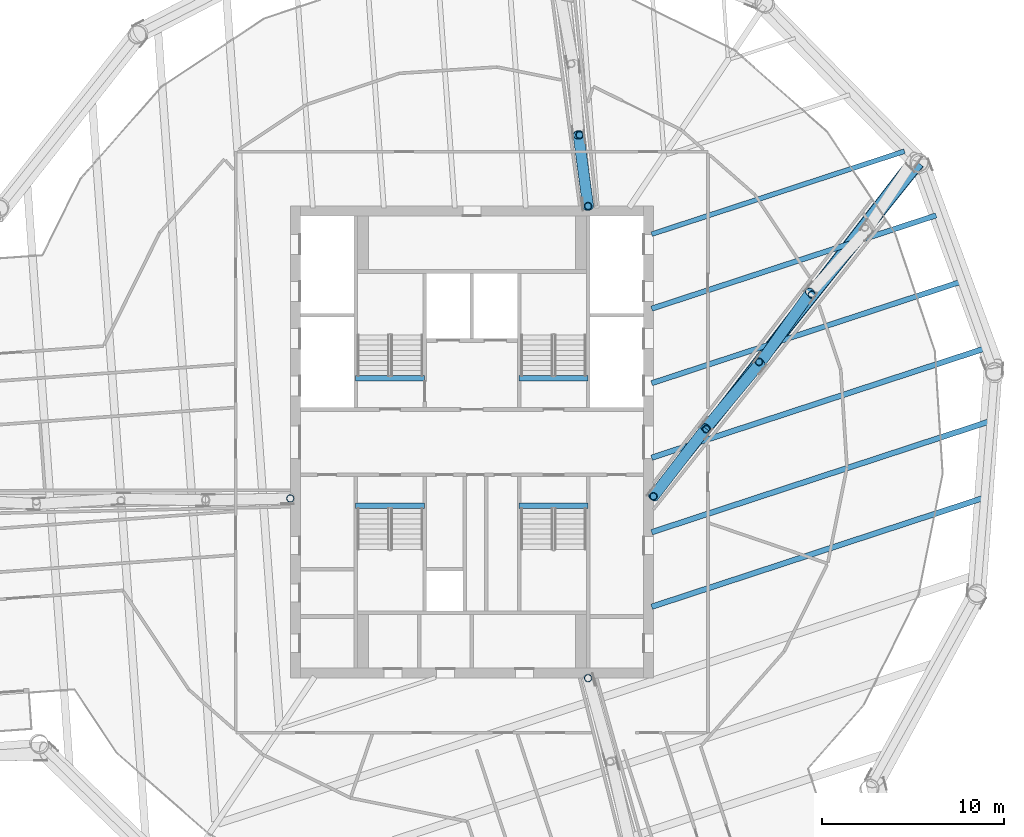
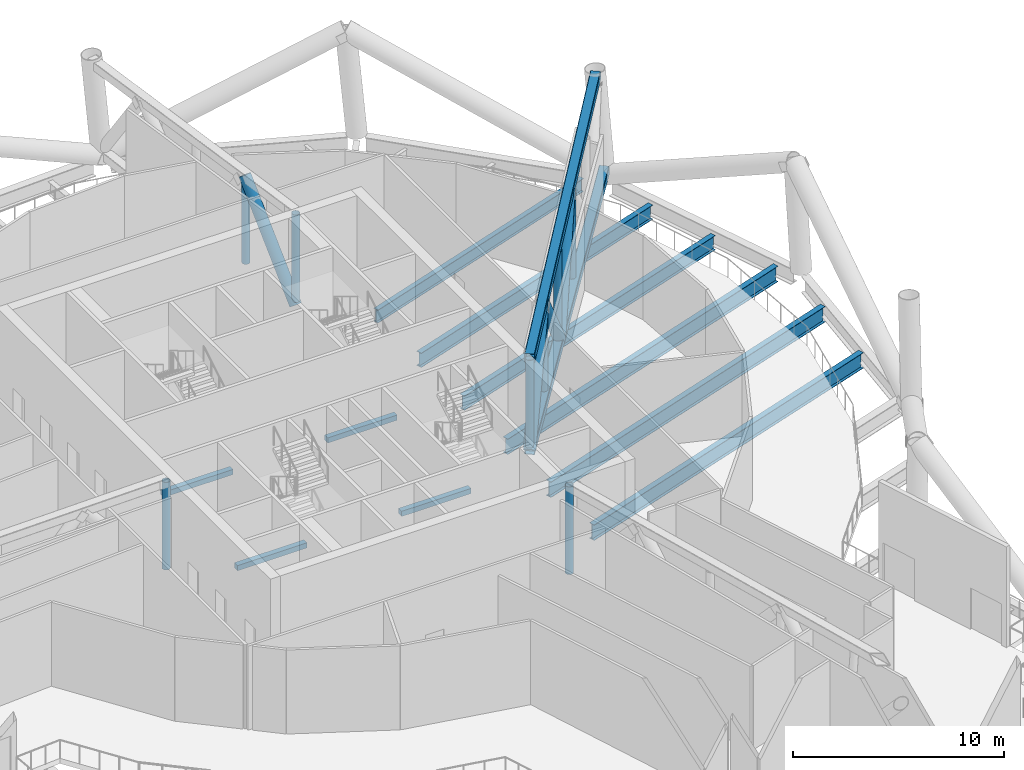
# One storey, part 6 of 33: 14 members, 10 beams.
"""IFC4 building model written with IfcOpenShell, lengths in metres."""

from ifc_helpers import new_model, si_unit, direction, frame, origin, origin_2d, place, context, subcontext, project, spatial, rectangle, hollow_rectangle, hollow_circle, i_section, extrude, material, material_profile, profile_set, type_object, element, save


model = new_model("IFC4")

# Units and contexts
model_context = context("Model", 3, precision=1e-05, world=origin(), true_north=direction((0.0, 1.0)))
body_context = subcontext(model_context, "Body", "Model", "MODEL_VIEW")
ifc_project = project(units=[si_unit("LENGTHUNIT", "METRE"), si_unit("AREAUNIT", "SQUARE_METRE"), si_unit("VOLUMEUNIT", "CUBIC_METRE"), si_unit("PLANEANGLEUNIT", "RADIAN"), si_unit("MASSUNIT", "GRAM", prefix="KILO")], contexts=[model_context])

# Site, building, storey
site_placement = place(None, origin())
site = spatial("IfcSite", under=ifc_project, at=site_placement, CompositionType="ELEMENT")
building_placement = place(site_placement, origin())
building = spatial("IfcBuilding", under=site, at=building_placement, Name="Tarsis Ring Headquarters", CompositionType="ELEMENT")
storey_placement = place(building_placement, frame((0.0, 0.0, 302.0)))
storey = spatial("IfcBuildingStorey", under=building, at=storey_placement, Name="L71", CompositionType="ELEMENT", Elevation=302.0)

# Beams
ifc_material_1 = material(Name="Structural steel S355", Category="steel")
ifc_material_profile_1 = material_profile(ifc_material_1, i_section(OverallWidth=0.2666015625, OverallDepth=0.7568359375, WebThickness=0.013916015625, FlangeThickness=0.019287109375, at=origin_2d()), Name="W30x108")
ifc_profile_set_1 = profile_set([ifc_material_profile_1], Name="Structural steel S355")
beam_type_1 = type_object("IfcBeamType", Name="FB Floor beam W30x108", PredefinedType="JOIST", material=ifc_profile_set_1)
beam_1_placement = place(storey_placement, frame((9.905029296875, 11.457763671875, -0.678466796875), z_axis=(0.950186918932, 0.311680636375, 0.0), x_axis=(-0.311680636375, 0.950186918932, 0.0)))
element("IfcBeam", 1, at=beam_1_placement, inside=storey, type_object=beam_type_1, Name="Floor beam FB6", PredefinedType="JOIST", context=body_context, shape_type="SweptSolid", body=[
    extrude(i_section(OverallWidth=0.2666015625, OverallDepth=0.7568359375, WebThickness=0.013916015625, FlangeThickness=0.019287109375, at=origin_2d()), origin(), (0.0, 0.0, 1.0), 14.6533203125),
])
ifc_material_profile_2 = material_profile(ifc_material_1, i_section(OverallWidth=0.2919921875, OverallDepth=0.835693359375, WebThickness=0.013916015625, FlangeThickness=0.018798828125, at=origin_2d()), Name="W33x118")
ifc_profile_set_2 = profile_set([ifc_material_profile_2], Name="Structural steel S355")
beam_type_2 = type_object("IfcBeamType", Name="FB Floor beam W33x118", PredefinedType="JOIST", material=ifc_profile_set_2)
beam_2_placement = place(storey_placement, frame((9.905029296875, 7.353271484375, -0.7177734375), z_axis=(0.950185696657, 0.311684362567, 0.0), x_axis=(-0.311684362567, 0.950185696657, 0.0)))
element("IfcBeam", 2, at=beam_2_placement, inside=storey, type_object=beam_type_2, Name="Floor beam FB7", PredefinedType="JOIST", context=body_context, shape_type="SweptSolid", body=[
    extrude(i_section(OverallWidth=0.2919921875, OverallDepth=0.835693359375, WebThickness=0.013916015625, FlangeThickness=0.018798828125, at=origin_2d()), origin(), (0.0, 0.0, 1.0), 16.48828125),
])
beam_3_placement = place(storey_placement, frame((9.905029296875, 3.2490234375, -0.7177734375), z_axis=(0.950190344309, 0.311670193605, 0.0), x_axis=(-0.311670193605, 0.950190344309, 0.0)))
element("IfcBeam", 3, at=beam_3_placement, inside=storey, type_object=beam_type_2, Name="Floor beam FB7", PredefinedType="JOIST", context=body_context, shape_type="SweptSolid", body=[
    extrude(i_section(OverallWidth=0.2919921875, OverallDepth=0.835693359375, WebThickness=0.013916015625, FlangeThickness=0.018798828125, at=origin_2d()), origin(), (0.0, 0.0, 1.0), 17.86865234375),
])
ifc_material_profile_3 = material_profile(ifc_material_1, i_section(OverallWidth=0.3046875, OverallDepth=0.904296875, WebThickness=0.01513671875, FlangeThickness=0.02001953125, at=origin_2d()), Name="W36x135")
ifc_profile_set_3 = profile_set([ifc_material_profile_3], Name="Structural steel S355")
beam_type_3 = type_object("IfcBeamType", Name="FB Floor beam W36x135", PredefinedType="JOIST", material=ifc_profile_set_3)
beam_4_placement = place(storey_placement, frame((9.905029296875, -0.85546875, -0.752197265625), z_axis=(0.950191801228, 0.311665751853, 0.0), x_axis=(-0.311665751853, 0.950191801228, 0.0)))
element("IfcBeam", 4, at=beam_4_placement, inside=storey, type_object=beam_type_3, Name="Floor beam FB8", PredefinedType="JOIST", context=body_context, shape_type="SweptSolid", body=[
    extrude(i_section(OverallWidth=0.3046875, OverallDepth=0.904296875, WebThickness=0.01513671875, FlangeThickness=0.02001953125, at=origin_2d()), origin(), (0.0, 0.0, 1.0), 19.2490234375),
])
beam_5_placement = place(storey_placement, frame((9.905029296875, -4.9599609375, -0.752197265625), z_axis=(0.950188644607, 0.311675375447, 0.0), x_axis=(-0.311675375447, 0.950188644607, 0.0)))
element("IfcBeam", 5, at=beam_5_placement, inside=storey, type_object=beam_type_3, Name="Floor beam FB8", PredefinedType="JOIST", context=body_context, shape_type="SweptSolid", body=[
    extrude(i_section(OverallWidth=0.3046875, OverallDepth=0.904296875, WebThickness=0.01513671875, FlangeThickness=0.02001953125, at=origin_2d()), origin(), (0.0, 0.0, 1.0), 19.53125),
])
beam_6_placement = place(storey_placement, frame((9.905029296875, -9.064453125, -0.752197265625), z_axis=(0.950186938908, 0.311680575475, 0.0), x_axis=(-0.311680575475, 0.950186938908, 0.0)))
element("IfcBeam", 6, at=beam_6_placement, inside=storey, type_object=beam_type_3, Name="Floor beam FB8", PredefinedType="JOIST", context=body_context, shape_type="SweptSolid", body=[
    extrude(i_section(OverallWidth=0.3046875, OverallDepth=0.904296875, WebThickness=0.01513671875, FlangeThickness=0.02001953125, at=origin_2d()), origin(), (0.0, 0.0, 1.0), 19.166748046875),
])

# Members
ifc_material_profile_4 = material_profile(ifc_material_1, hollow_rectangle(XDim=0.508056640625, YDim=0.508056640625, WallThickness=0.025390625, InnerFilletRadius=0.025390625, OuterFilletRadius=0.05078125, at=origin_2d()), Name="HSS 508x508x25")
ifc_profile_set_4 = profile_set([ifc_material_profile_4], Name="Structural steel S355")
member_type_1 = type_object("IfcMemberType", Name="OC Outrigger chord HSS 508x508x25", PredefinedType="CHORD", material=ifc_profile_set_4)
member_1_placement = place(storey_placement, frame((10.0, -2.98486328125, 0.25390625), z_axis=(0.625123736539, 0.780525665187, 0.0), x_axis=(-0.780525665187, 0.625123736539, 0.0)))
element("IfcMember", 7, at=member_1_placement, inside=storey, type_object=member_type_1, Name="Outrigger chord OC1", PredefinedType="CHORD", context=body_context, shape_type="SweptSolid", body=[
    extrude(hollow_rectangle(XDim=0.508056640625, YDim=0.508056640625, WallThickness=0.025390625, InnerFilletRadius=0.025390625, OuterFilletRadius=0.05078125, at=origin_2d()), origin(), (0.0, 0.0, 1.0), 23.469482421875),
])
member_2_placement = place(storey_placement, frame((10.0, -2.98486328125, 5.5859375), z_axis=(0.610381723166, 0.792107411924, 0.0), x_axis=(-0.792107411924, 0.610381723166, 0.0)))
element("IfcMember", 8, at=member_2_placement, inside=storey, type_object=member_type_1, Name="Outrigger chord OC1", PredefinedType="CHORD", context=body_context, shape_type="SweptSolid", body=[
    extrude(hollow_rectangle(XDim=0.508056640625, YDim=0.508056640625, WallThickness=0.025390625, InnerFilletRadius=0.025390625, OuterFilletRadius=0.05078125, at=origin_2d()), origin(), (0.0, 0.0, 1.0), 23.6259765625),
])
ifc_material_profile_5 = material_profile(ifc_material_1, hollow_circle(Radius=0.3046875, WallThickness=0.02490234375, at=origin_2d()), Name="CHS 610x25")
ifc_profile_set_5 = profile_set([ifc_material_profile_5], Name="Structural steel S355")
member_type_2 = type_object("IfcMemberType", Name="OD Outrigger diagonal CHS 610x25", PredefinedType="BRACE", material=ifc_profile_set_5)
member_3_placement = place(storey_placement, frame((10.0, -2.98486328125, 0.25390625), z_axis=(0.404837022508, 0.525356051471, 0.748403637344), x_axis=(-0.792101269651, 0.610389694062, 0.0)))
element("IfcMember", 9, at=member_3_placement, inside=storey, type_object=member_type_2, Name="Outrigger diagonal OD1", PredefinedType="BRACE", context=body_context, shape_type="SweptSolid", body=[
    extrude(hollow_circle(Radius=0.3046875, WallThickness=0.02490234375, at=origin_2d()), origin(), (0.0, 0.0, 1.0), 7.12451171875),
])
member_4_placement = place(storey_placement, frame((12.88427734375, 0.758056640625, 5.5859375), z_axis=(0.421273639324, 0.50598327655, -0.752668216854), x_axis=(-0.768504373134, 0.639844534613, 0.0)))
element("IfcMember", 10, at=member_4_placement, inside=storey, type_object=member_type_2, Name="Outrigger diagonal OD1", PredefinedType="BRACE", context=body_context, shape_type="SweptSolid", body=[
    extrude(hollow_circle(Radius=0.3046875, WallThickness=0.02490234375, at=origin_2d()), origin(), (0.0, 0.0, 1.0), 7.084228515625),
])
member_5_placement = place(storey_placement, frame((15.86865234375, 4.342529296875, 0.25390625), z_axis=(0.388303400803, 0.544162794425, 0.743711854208), x_axis=(-0.814005286312, 0.580857464319, 0.0)))
element("IfcMember", 11, at=member_5_placement, inside=storey, type_object=member_type_2, Name="Outrigger diagonal OD1", PredefinedType="BRACE", context=body_context, shape_type="SweptSolid", body=[
    extrude(hollow_circle(Radius=0.3046875, WallThickness=0.02490234375, at=origin_2d()), origin(), (0.0, 0.0, 1.0), 7.16943359375),
])
member_6_placement = place(storey_placement, frame((6.39990234375, 13.0, 0.25390625), z_axis=(-0.078692978248, 0.591630122181, 0.802359778218), x_axis=(-0.991269782951, -0.131849222248, 0.0)))
element("IfcMember", 12, at=member_6_placement, inside=storey, type_object=member_type_2, Name="Outrigger diagonal OD1", PredefinedType="BRACE", context=body_context, shape_type="SweptSolid", body=[
    extrude(hollow_circle(Radius=0.3046875, WallThickness=0.02490234375, at=origin_2d()), origin(), (0.0, 0.0, 1.0), 6.6455078125),
])
ifc_material_profile_6 = material_profile(ifc_material_1, hollow_circle(Radius=0.203125, WallThickness=0.01611328125, at=origin_2d()), Name="CHS 406x16")
ifc_profile_set_6 = profile_set([ifc_material_profile_6], Name="Structural steel S355")
member_type_3 = type_object("IfcMemberType", Name="OV Outrigger post CHS 406x16", PredefinedType="STRUT", material=ifc_profile_set_6)
member_7_placement = place(storey_placement, frame((10.0, -2.98486328125, 0.508056640625), z_axis=(0.0, 0.0, 1.0), x_axis=(1.0, 0.0, 0.0)))
element("IfcMember", 13, at=member_7_placement, inside=storey, type_object=member_type_3, Name="Outrigger post OV1", PredefinedType="STRUT", context=body_context, shape_type="SweptSolid", body=[
    extrude(hollow_circle(Radius=0.203125, WallThickness=0.01611328125, at=origin_2d()), origin(), (0.0, 0.0, 1.0), 5.077880859375),
])
for number, where, z_axis, x_axis, name in (
    (14, (12.9091796875, 0.718505859375, 0.508056640625), (0.0, 0.0, 1.0), (1.0, 0.0, 0.0), "Outrigger post OV1"),
    (15, (15.818359375, 4.421630859375, 0.508056640625), (0.0, 0.0, 1.0), (1.0, 0.0, 0.0), "Outrigger post OV1"),
    (16, (18.727783203125, 8.125, 0.508056640625), (0.0, 0.0, 1.0), (1.0, 0.0, 0.0), "Outrigger post OV1"),
):
    element("IfcMember", number, at=place(storey_placement, frame(where, z_axis=z_axis, x_axis=x_axis)), inside=storey, type_object=member_type_3, Name=name, PredefinedType="STRUT", context=body_context, shape_type="SweptSolid", body=[
        extrude(hollow_circle(Radius=0.203125, WallThickness=0.01611328125, at=origin_2d()), origin(), (0.0, 0.0, 1.0), 4.823974609375),
    ])
for number, where, z_axis, x_axis, name in (
    (17, (6.39990234375, -13.0, 0.508056640625), (0.0, 0.0, 1.0), (1.0, 0.0, 0.0), "Outrigger post OV1"),
    (18, (-10.0, -3.10009765625, 0.508056640625), (0.0, 0.0, 1.0), (1.0, 0.0, 0.0), "Outrigger post OV1"),
    (19, (6.39990234375, 13.0, 0.508056640625), (0.0, 0.0, 1.0), (1.0, 0.0, 0.0), "Outrigger post OV1"),
):
    element("IfcMember", number, at=place(storey_placement, frame(where, z_axis=z_axis, x_axis=x_axis)), inside=storey, type_object=member_type_3, Name=name, PredefinedType="STRUT", context=body_context, shape_type="SweptSolid", body=[
        extrude(hollow_circle(Radius=0.203125, WallThickness=0.01611328125, at=origin_2d()), origin(), (0.0, 0.0, 1.0), 5.077880859375),
    ])
member_8_placement = place(storey_placement, frame((5.934814453125, 16.922607421875, 0.508056640625), z_axis=(0.0, 0.0, 1.0), x_axis=(1.0, 0.0, 0.0)))
element("IfcMember", 20, at=member_8_placement, inside=storey, type_object=member_type_3, Name="Outrigger post OV1", PredefinedType="STRUT", context=body_context, shape_type="SweptSolid", body=[
    extrude(hollow_circle(Radius=0.203125, WallThickness=0.01611328125, at=origin_2d()), origin(), (0.0, 0.0, 1.0), 4.823974609375),
])

# Beams
ifc_material_2 = material(Name="Concrete C40/50", Category="concrete")
ifc_material_profile_7 = material_profile(ifc_material_2, rectangle(XDim=0.300048828125, YDim=0.300048828125, at=origin_2d()), Name="Stair head beam 300x300 C40/50")
ifc_profile_set_7 = profile_set([ifc_material_profile_7], Name="Concrete C40/50")
beam_type_4 = type_object("IfcBeamType", Name="Stair head beam 300x300 C40/50", PredefinedType="BEAM", material=ifc_profile_set_7)
for number, where, z_axis, x_axis, name in (
    (21, (-6.39990234375, 3.510009765625, -0.449951171875), (1.0, 0.0, 0.0), (0.0, 1.0, 0.0), "Stair head beam L71 Firefighting stair"),
    (22, (2.60009765625, 3.510009765625, -0.449951171875), (1.0, 0.0, 0.0), (0.0, 1.0, 0.0), "Stair head beam L71 Exit stair B"),
    (23, (-6.39990234375, -3.510009765625, -0.449951171875), (1.0, 0.0, 0.0), (0.0, 1.0, 0.0), "Stair head beam L71 Exit stair C"),
    (24, (2.60009765625, -3.510009765625, -0.449951171875), (1.0, 0.0, 0.0), (0.0, 1.0, 0.0), "Stair head beam L71 Exit stair D"),
):
    element("IfcBeam", number, at=place(storey_placement, frame(where, z_axis=z_axis, x_axis=x_axis)), inside=storey, type_object=beam_type_4, Name=name, PredefinedType="BEAM", context=body_context, shape_type="SweptSolid", body=[
        extrude(rectangle(XDim=0.300048828125, YDim=0.300048828125, at=origin_2d()), origin(), (0.0, 0.0, 1.0), 3.7998046875),
    ])

save(model, "model.ifc")
